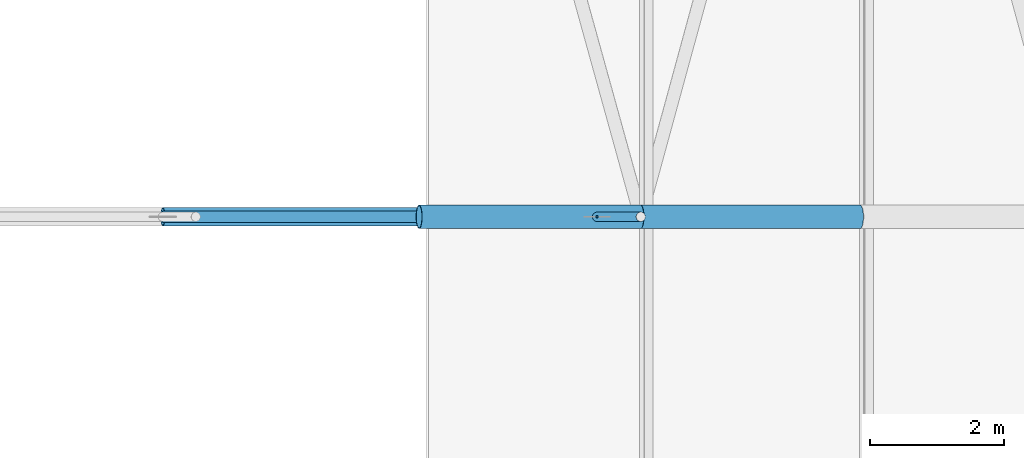
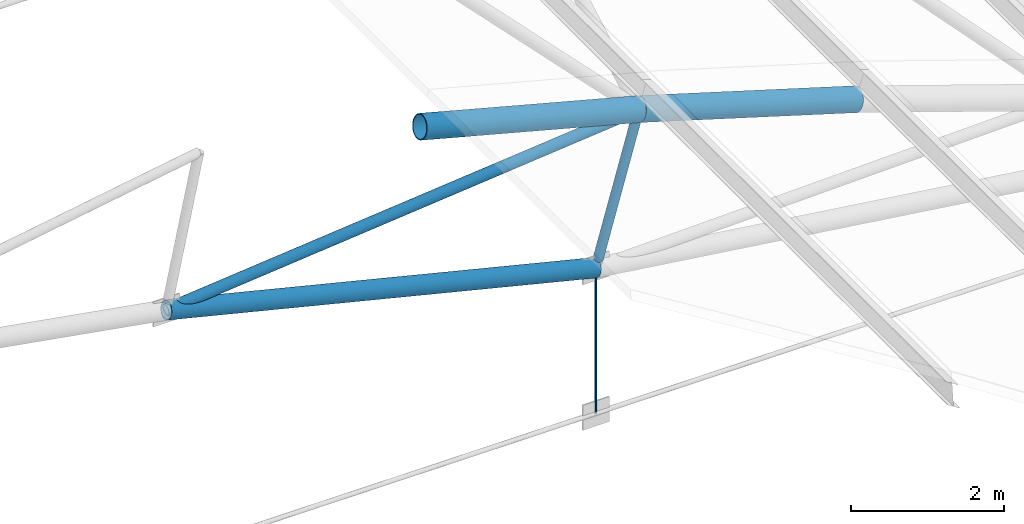
# One storey, part 52 of 321: 6 members.
"""IFC4 building model written with IfcOpenShell, lengths in metres."""

from ifc_helpers import new_model, si_unit, direction, frame, origin, origin_2d, place, context, subcontext, project, spatial, circle, hollow_circle, extrude, material, material_profile, profile_set, type_object, element, save


model = new_model("IFC4")

# Units and contexts
model_context = context("Model", 3, precision=1e-05, world=origin(), true_north=direction((0.0, 1.0)))
body_context = subcontext(model_context, "Body", "Model", "MODEL_VIEW")
ifc_project = project(units=[si_unit("LENGTHUNIT", "METRE"), si_unit("AREAUNIT", "SQUARE_METRE"), si_unit("VOLUMEUNIT", "CUBIC_METRE"), si_unit("PLANEANGLEUNIT", "RADIAN"), si_unit("MASSUNIT", "GRAM", prefix="KILO")], contexts=[model_context])

# Site, building, storey
site_placement = place(None, origin())
site = spatial("IfcSite", under=ifc_project, at=site_placement, CompositionType="ELEMENT")
building_placement = place(site_placement, origin())
building = spatial("IfcBuilding", under=site, at=building_placement, Name="Ravi Spectrum Wholesale Market", CompositionType="ELEMENT")
storey_placement = place(building_placement, frame((0.0, 0.0, 10.800048828125)))
storey = spatial("IfcBuildingStorey", under=building, at=storey_placement, Name="L02", CompositionType="ELEMENT", Elevation=10.800048828125)

# Members
ifc_material_1 = material(Name="Steel S355", Category="steel")
ifc_material_profile_1 = material_profile(ifc_material_1, hollow_circle(Radius=0.06982421875, WallThickness=0.0048828125, at=origin_2d()))
ifc_profile_set_1 = profile_set([ifc_material_profile_1], Name="Steel S355")
member_type_1 = type_object("IfcMemberType", Name="CHS 139.7x5 post", PredefinedType="POST", material=ifc_profile_set_1)
member_1_placement = place(storey_placement, frame((97.103759765625, 66.0, 4.661376953125), z_axis=(-0.272503703517, 0.0, -0.962154733694), x_axis=(0.0, -1.0, 0.0)))
element("IfcMember", 1, at=member_1_placement, inside=storey, type_object=member_type_1, Name="H1-MB-L02-307", PredefinedType="POST", context=body_context, shape_type="SweptSolid", body=[
    extrude(hollow_circle(Radius=0.06982421875, WallThickness=0.0048828125, at=origin_2d()), origin(), (0.0, 0.0, 1.0), 2.400146484375),
])
ifc_material_2 = material(Name="Steel S355", Category="steel")
ifc_material_profile_2 = material_profile(ifc_material_2, hollow_circle(Radius=0.084228515625, WallThickness=0.00634765625, at=origin_2d()))
ifc_profile_set_2 = profile_set([ifc_material_profile_2], Name="Steel S355")
member_type_2 = type_object("IfcMemberType", Name="CHS 168.3x6.3 brace", PredefinedType="BRACE", material=ifc_profile_set_2)
member_2_placement = place(storey_placement, frame((97.103759765625, 66.0, 4.661376953125), z_axis=(-0.995140525262, 0.0, -0.098464892124), x_axis=(0.0, -1.0, 0.0)))
element("IfcMember", 2, at=member_2_placement, inside=storey, type_object=member_type_2, Name="H1-MB-L02-317", PredefinedType="BRACE", context=body_context, shape_type="SweptSolid", body=[
    extrude(hollow_circle(Radius=0.084228515625, WallThickness=0.00634765625, at=origin_2d()), origin(), (0.0, 0.0, 1.0), 7.1904296875),
])
ifc_material_3 = material(Name="Steel S355", Category="steel")
ifc_material_profile_3 = material_profile(ifc_material_3, hollow_circle(Radius=0.136474609375, WallThickness=0.010009765625, at=origin_2d()))
ifc_profile_set_3 = profile_set([ifc_material_profile_3], Name="Steel S355")
member_type_3 = type_object("IfcMemberType", Name="CHS 273x10 chord", PredefinedType="CHORD", material=ifc_profile_set_3)
member_3_placement = place(storey_placement, frame((89.9482421875, 66.0, 3.953369140625), z_axis=(0.970981670562, 0.0, -0.23915391578), x_axis=(0.0, 1.0, 0.0)))
element("IfcMember", 3, at=member_3_placement, inside=storey, type_object=member_type_3, Name="H1-MB-L02-295", PredefinedType="CHORD", context=body_context, shape_type="SweptSolid", body=[
    extrude(hollow_circle(Radius=0.136474609375, WallThickness=0.010009765625, at=origin_2d()), origin(), (0.0, 0.0, 1.0), 6.69580078125),
])
ifc_material_4 = material(Name="Steel S355", Category="steel")
ifc_material_profile_4 = material_profile(ifc_material_4, hollow_circle(Radius=0.177734375, WallThickness=0.012451171875, at=origin_2d()))
ifc_profile_set_4 = profile_set([ifc_material_profile_4], Name="Steel S355")
member_type_4 = type_object("IfcMemberType", Name="CHS 355.6x12.5 chord", PredefinedType="CHORD", material=ifc_profile_set_4)
for number, where, z_axis, x_axis, name in (
    (4, (93.786865234375, 66.0, 5.5390625), (0.966728003216, 0.0, -0.255806504605), (0.0, 1.0, 0.0), "H1-MB-L02-281"),
    (5, (97.103759765625, 66.0, 4.661376953125), (0.957299848506, 0.0, -0.289096869666), (0.0, 1.0, 0.0), "H1-MB-L02-282"),
):
    element("IfcMember", number, at=place(storey_placement, frame(where, z_axis=z_axis, x_axis=x_axis)), inside=storey, type_object=member_type_4, Name=name, PredefinedType="CHORD", context=body_context, shape_type="SweptSolid", body=[
        extrude(hollow_circle(Radius=0.177734375, WallThickness=0.012451171875, at=origin_2d()), origin(), (0.0, 0.0, 1.0), 3.43115234375),
    ])
ifc_material_5 = material(Name="Steel S355", Category="steel")
ifc_material_profile_5 = material_profile(ifc_material_5, circle(Radius=0.01806640625, at=origin_2d()))
ifc_profile_set_5 = profile_set([ifc_material_profile_5], Name="Steel S355")
member_type_5 = type_object("IfcMemberType", Name="ROD 36 hanger", PredefinedType="STRUT", material=ifc_profile_set_5)
member_4_placement = place(storey_placement, frame((96.44970703125, 66.0, 0.023193359375), z_axis=(0.0, 0.0, 1.0), x_axis=(1.0, 0.0, 0.0)))
element("IfcMember", 6, at=member_4_placement, inside=storey, type_object=member_type_5, Name="H1-MB-L02-324", PredefinedType="STRUT", context=body_context, shape_type="SweptSolid", body=[
    extrude(circle(Radius=0.01806640625, at=origin_2d()), origin(), (0.0, 0.0, 1.0), 2.328857421875),
])

save(model, "model.ifc")
